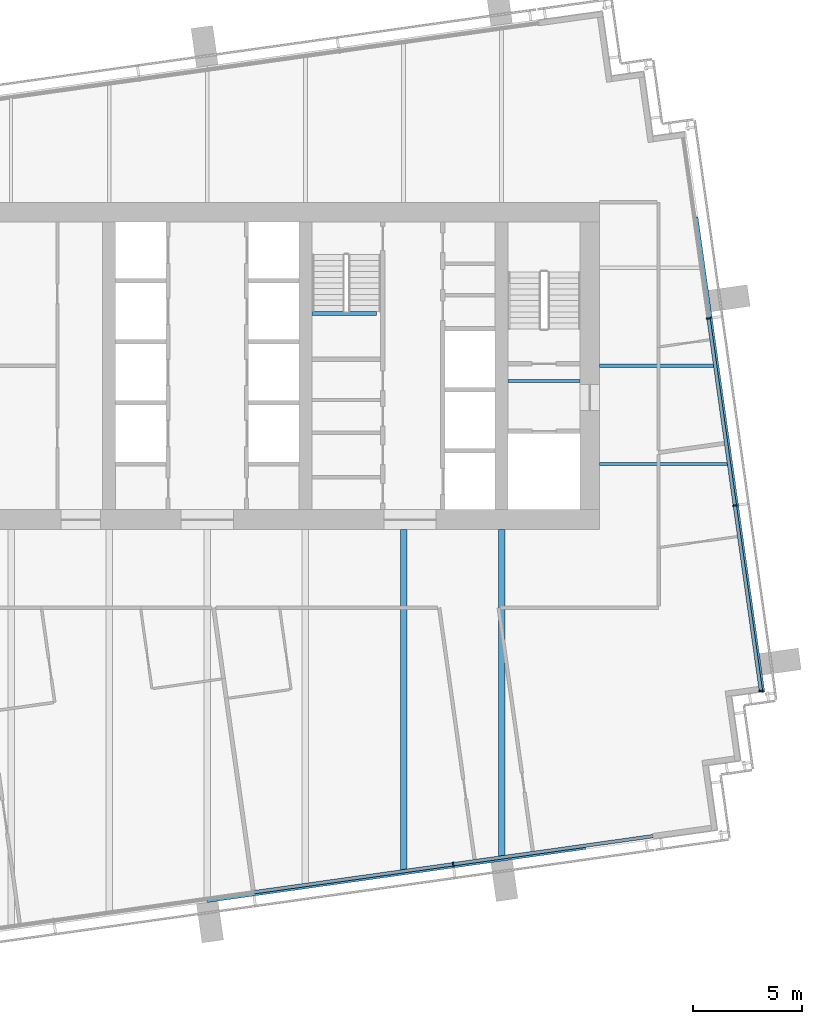
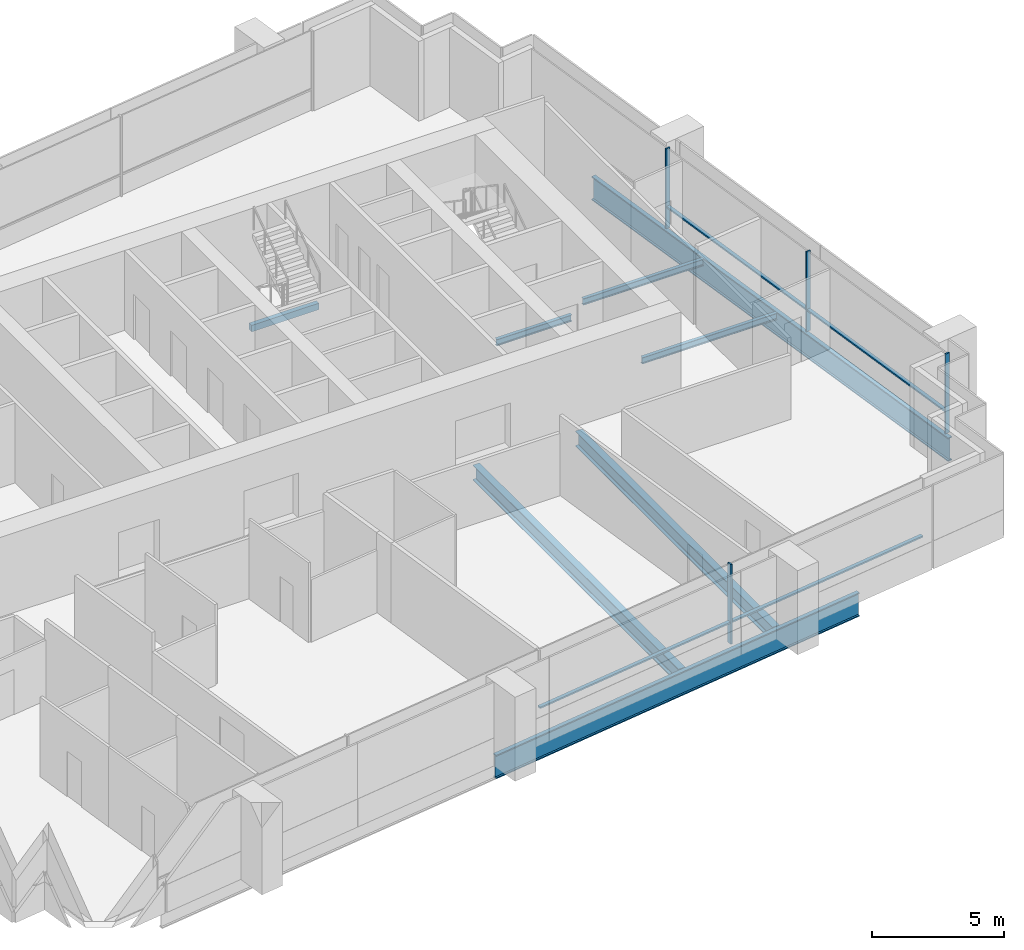
# One storey, part 4 of 15: 8 beams, 8 members, 2 elements without a shape of their own.
"""IFC4 building model written with IfcOpenShell, lengths in metres."""

from ifc_helpers import new_model, si_unit, direction, frame, origin, origin_2d, place, context, subcontext, project, spatial, rectangle, i_section, extrude, material, layer, layer_set, material_profile, profile_set, type_object, element, aggregate, save


model = new_model("IFC4")

# Units and contexts
model_context = context("Model", 3, precision=1e-05, world=origin(), true_north=direction((0.0, 1.0)))
body_context = subcontext(model_context, "Body", "Model", "MODEL_VIEW")
ifc_project = project(units=[si_unit("LENGTHUNIT", "METRE"), si_unit("AREAUNIT", "SQUARE_METRE"), si_unit("VOLUMEUNIT", "CUBIC_METRE"), si_unit("PLANEANGLEUNIT", "RADIAN"), si_unit("MASSUNIT", "GRAM", prefix="KILO")], contexts=[model_context])

# Site, building, storey
site_placement = place(None, origin())
site = spatial("IfcSite", under=ifc_project, at=site_placement, CompositionType="ELEMENT")
building_placement = place(site_placement, origin())
building = spatial("IfcBuilding", under=site, at=building_placement, Name="Rattan Terrace Tower", CompositionType="ELEMENT")
storey_placement = place(building_placement, frame((0.0, 0.0, 274.60009765625)))
storey = spatial("IfcBuildingStorey", under=building, at=storey_placement, Name="L63", CompositionType="ELEMENT", Elevation=274.60009765625)

# Beams
ifc_material_1 = material(Name="Concrete C40/50", Category="concrete")
ifc_material_profile_1 = material_profile(ifc_material_1, rectangle(XDim=0.199951171875, YDim=0.300048828125, at=origin_2d()), Name="RC 200x300")
ifc_profile_set_1 = profile_set([ifc_material_profile_1], Name="Concrete C40/50")
beam_type_1 = type_object("IfcBeamType", Name="Core landing beam RC 200x300", PredefinedType="BEAM", material=ifc_profile_set_1)
beam_1_placement = place(storey_placement, frame((4.800048828125, 2.39990234375, 1.599853515625), z_axis=(1.0, 0.0, 0.0), x_axis=(0.0, 1.0, 0.0)))
element("IfcBeam", 1, at=beam_1_placement, inside=storey, type_object=beam_type_1, Name="st-S3-L63 landing 1 edge beam", PredefinedType="BEAM", context=body_context, shape_type="SweptSolid", body=[
    extrude(rectangle(XDim=0.199951171875, YDim=0.300048828125, at=origin_2d()), origin(), (0.0, 0.0, 1.0), 2.949951171875),
])
ifc_material_2 = material(Name="Steel S460", Category="steel")
ifc_material_profile_2 = material_profile(ifc_material_2, i_section(OverallWidth=0.179931640625, OverallDepth=1.10009765625, WebThickness=0.01611328125, FlangeThickness=0.050048828125, at=origin_2d()), Name="PG 1100x180-16-50")
ifc_profile_set_2 = profile_set([ifc_material_profile_2], Name="Steel S460")
beam_type_2 = type_object("IfcBeamType", Name="Frame edge girder PG 1100x180-16-50", PredefinedType="SPANDREL", material=ifc_profile_set_2)
beam_2_placement = place(storey_placement, frame((17.347900390625, -22.087890625, -0.75), z_axis=(-0.990265878298, -0.139188685889, 0.0), x_axis=(0.139188685889, -0.990265878298, 0.0)))
element("IfcBeam", 2, at=beam_2_placement, inside=storey, type_object=beam_type_2, Name="gdr-L63-002", PredefinedType="SPANDREL", context=body_context, shape_type="SweptSolid", body=[
    extrude(i_section(OverallWidth=0.179931640625, OverallDepth=1.10009765625, WebThickness=0.01611328125, FlangeThickness=0.050048828125, at=origin_2d()), origin(), (0.0, 0.0, 1.0), 17.531494140625),
])
beam_3_placement = place(storey_placement, frame((22.4189453125, 6.822998046875, -0.75), z_axis=(0.139180574959, -0.990267018311, 0.0), x_axis=(0.990267018311, 0.139180574959, 0.0)))
element("IfcBeam", 3, at=beam_3_placement, inside=storey, type_object=beam_type_2, Name="gdr-L63-004", PredefinedType="SPANDREL", context=body_context, shape_type="SweptSolid", body=[
    extrude(i_section(OverallWidth=0.179931640625, OverallDepth=1.10009765625, WebThickness=0.01611328125, FlangeThickness=0.050048828125, at=origin_2d()), origin(), (0.0, 0.0, 1.0), 22.014404296875),
])
ifc_material_3 = material(Name="Steel S355", Category="steel")
ifc_material_profile_3 = material_profile(ifc_material_3, i_section(OverallWidth=0.300048828125, OverallDepth=0.699951171875, WebThickness=0.01708984375, FlangeThickness=0.031982421875, FilletRadius=0.027099609375, at=origin_2d()), Name="HE 700 B")
ifc_profile_set_3 = profile_set([ifc_material_profile_3], Name="Steel S355")
beam_type_3 = type_object("IfcBeamType", Name="Frame floor beam HE 700 B", PredefinedType="JOIST", material=ifc_profile_set_3)
beam_4_placement = place(storey_placement, frame((9.0, -23.14892578125, -0.550048828125), z_axis=(0.0, 1.0, 0.0), x_axis=(-1.0, 0.0, 0.0)))
element("IfcBeam", 4, at=beam_4_placement, inside=storey, type_object=beam_type_3, Name="bm-L63-008", PredefinedType="JOIST", context=body_context, shape_type="SweptSolid", body=[
    extrude(i_section(OverallWidth=0.300048828125, OverallDepth=0.699951171875, WebThickness=0.01708984375, FlangeThickness=0.031982421875, FilletRadius=0.027099609375, at=origin_2d()), origin(), (0.0, 0.0, 1.0), 15.64892578125),
])
beam_5_placement = place(storey_placement, frame((13.5, -22.51708984375, -0.550048828125), z_axis=(0.0, 1.0, 0.0), x_axis=(-1.0, 0.0, 0.0)))
element("IfcBeam", 5, at=beam_5_placement, inside=storey, type_object=beam_type_3, Name="bm-L63-009", PredefinedType="JOIST", context=body_context, shape_type="SweptSolid", body=[
    extrude(i_section(OverallWidth=0.300048828125, OverallDepth=0.699951171875, WebThickness=0.01708984375, FlangeThickness=0.031982421875, FilletRadius=0.027099609375, at=origin_2d()), origin(), (0.0, 0.0, 1.0), 15.01708984375),
])
ifc_material_4 = material(Name="Steel S355", Category="steel")
ifc_material_profile_4 = material_profile(ifc_material_4, i_section(OverallWidth=0.14990234375, OverallDepth=0.300048828125, WebThickness=0.007080078125, FlangeThickness=0.0107421875, FilletRadius=0.014892578125, at=origin_2d()), Name="IPE 300")
ifc_profile_set_4 = profile_set([ifc_material_profile_4], Name="Steel S355")
beam_type_4 = type_object("IfcBeamType", Name="Frame floor beam IPE 300", PredefinedType="JOIST", material=ifc_profile_set_4)
beam_6_placement = place(storey_placement, frame((13.800048828125, -0.695068359375, -0.35009765625), z_axis=(1.0, 0.0, 0.0), x_axis=(0.0, 1.0, 0.0)))
element("IfcBeam", 6, at=beam_6_placement, inside=storey, type_object=beam_type_4, Name="bm-L63-002", PredefinedType="JOIST", context=body_context, shape_type="SweptSolid", body=[
    extrude(i_section(OverallWidth=0.14990234375, OverallDepth=0.300048828125, WebThickness=0.007080078125, FlangeThickness=0.0107421875, FilletRadius=0.014892578125, at=origin_2d()), origin(), (0.0, 0.0, 1.0), 3.300048828125),
])
beam_7_placement = place(storey_placement, frame((18.0, -4.5, -0.35009765625), z_axis=(1.0, 0.0, 0.0), x_axis=(0.0, 1.0, 0.0)))
element("IfcBeam", 7, at=beam_7_placement, inside=storey, type_object=beam_type_4, Name="bm-L63-011", PredefinedType="JOIST", context=body_context, shape_type="SweptSolid", body=[
    extrude(i_section(OverallWidth=0.14990234375, OverallDepth=0.300048828125, WebThickness=0.007080078125, FlangeThickness=0.0107421875, FilletRadius=0.014892578125, at=origin_2d()), origin(), (0.0, 0.0, 1.0), 5.908935546875),
])
beam_8_placement = place(storey_placement, frame((18.0, 0.0, -0.35009765625), z_axis=(1.0, 0.0, 0.0), x_axis=(0.0, 1.0, 0.0)))
element("IfcBeam", 8, at=beam_8_placement, inside=storey, type_object=beam_type_4, Name="bm-L63-013", PredefinedType="JOIST", context=body_context, shape_type="SweptSolid", body=[
    extrude(i_section(OverallWidth=0.14990234375, OverallDepth=0.300048828125, WebThickness=0.007080078125, FlangeThickness=0.0107421875, FilletRadius=0.014892578125, at=origin_2d()), origin(), (0.0, 0.0, 1.0), 5.277099609375),
])

# Curtain wall, members
ifc_material_5 = material(Name="Aluminium and laminated glass", Category="aluminium")
ifc_layer = layer(ifc_material_5, 0.199951171875)
ifc_layer_set = layer_set([ifc_layer], Name="High-Zone Unitised Curtain Wall")
curtain_wall_type = type_object("IfcCurtainWallType", Name="High-Zone Unitised Curtain Wall", PredefinedType="NOTDEFINED", material=ifc_layer_set)
curtain_wall_1_placement = place(storey_placement, origin())
curtain_wall_1 = element("IfcCurtainWall", 9, at=curtain_wall_1_placement, inside=storey, type_object=curtain_wall_type, Name="High-zone curtain wall L63-1", PredefinedType="NOTDEFINED")
ifc_material_6 = material(Name="Aluminium", Category="aluminium")
ifc_material_profile_5 = material_profile(ifc_material_6, rectangle(XDim=0.070068359375, YDim=0.199951171875, at=origin_2d()), Name="Aluminium 70x200")
ifc_profile_set_5 = profile_set([ifc_material_profile_5], Name="Aluminium")
member_type_1 = type_object("IfcMemberType", Name="High-Zone CW Mullion 70x200", PredefinedType="MULLION", material=ifc_profile_set_5)
member_1_placement = place(storey_placement, frame((25.3916015625, -14.908447265625, 0.0), z_axis=(0.0, 0.0, 1.0), x_axis=(-0.139191775431, 0.990265444036, 0.0)))
member_1 = element("IfcMember", 10, at=member_1_placement, type_object=member_type_1, Name="Mullion cwl-L63-001.1", PredefinedType="MULLION", context=body_context, shape_type="SweptSolid", body=[
    extrude(rectangle(XDim=0.070068359375, YDim=0.199951171875, at=origin_2d()), origin(), (0.0, 0.0, 1.0), 3.699951171875),
])
member_2_placement = place(storey_placement, frame((24.1962890625, -6.405029296875, 0.0), z_axis=(0.0, 0.0, 1.0), x_axis=(-0.139191775431, 0.990265444036, 0.0)))
member_2 = element("IfcMember", 11, at=member_2_placement, type_object=member_type_1, Name="Mullion cwl-L63-001.2", PredefinedType="MULLION", context=body_context, shape_type="SweptSolid", body=[
    extrude(rectangle(XDim=0.070068359375, YDim=0.199951171875, at=origin_2d()), origin(), (0.0, 0.0, 1.0), 3.699951171875),
])
member_3_placement = place(storey_placement, frame((22.989990234375, 2.177490234375, 0.0), z_axis=(0.0, 0.0, 1.0), x_axis=(-0.139191775431, 0.990265444036, 0.0)))
member_3 = element("IfcMember", 12, at=member_3_placement, type_object=member_type_1, Name="Mullion cwl-L63-001.3", PredefinedType="MULLION", context=body_context, shape_type="SweptSolid", body=[
    extrude(rectangle(XDim=0.070068359375, YDim=0.199951171875, at=origin_2d()), origin(), (0.0, 0.0, 1.0), 3.699951171875),
])

# Curtain wall, member
curtain_wall_2_placement = place(storey_placement, origin())
curtain_wall_2 = element("IfcCurtainWall", 13, at=curtain_wall_2_placement, inside=storey, type_object=curtain_wall_type, Name="High-zone curtain wall L63-4", PredefinedType="NOTDEFINED")
member_4_placement = place(storey_placement, frame((11.27734375, -22.859619140625, 0.0), z_axis=(0.0, 0.0, 1.0), x_axis=(0.990265894013, 0.139188574079, 0.0)))
member_4 = element("IfcMember", 14, at=member_4_placement, type_object=member_type_1, Name="Mullion cwl-L63-004.4", PredefinedType="MULLION", context=body_context, shape_type="SweptSolid", body=[
    extrude(rectangle(XDim=0.070068359375, YDim=0.199951171875, at=origin_2d()), origin(), (0.0, 0.0, 1.0), 3.699951171875),
])

# Member
ifc_material_7 = material(Name="Aluminium", Category="aluminium")
ifc_material_profile_6 = material_profile(ifc_material_7, rectangle(XDim=0.159912109375, YDim=0.070068359375, at=origin_2d()), Name="Aluminium 160x70")
ifc_profile_set_6 = profile_set([ifc_material_profile_6], Name="Aluminium")
member_type_2 = type_object("IfcMemberType", Name="High-Zone CW Transom 160x70", PredefinedType="USERDEFINED", material=ifc_profile_set_6)
member_5_placement = place(storey_placement, frame((25.38671875, -14.873779296875, 1.0), z_axis=(-0.139197734293, 0.99026460644, 0.0), x_axis=(-0.99026460644, -0.139197734293, 0.0)))
member_5 = element("IfcMember", 15, at=member_5_placement, type_object=member_type_2, Name="Transom cwl-L63-001.1", ObjectType="TRANSOM", PredefinedType="USERDEFINED", context=body_context, shape_type="SweptSolid", body=[
    extrude(rectangle(XDim=0.159912109375, YDim=0.070068359375, at=origin_2d()), origin(), (0.0, 0.0, 1.0), 8.51708984375),
])

member_6_placement = place(storey_placement, frame((24.19140625, -6.370361328125, 1.0), z_axis=(-0.139182599995, 0.990266733693, 0.0), x_axis=(-0.990266733693, -0.139182599995, 0.0)))
member_6 = element("IfcMember", 16, at=member_6_placement, type_object=member_type_2, Name="Transom cwl-L63-001.2", ObjectType="TRANSOM", PredefinedType="USERDEFINED", context=body_context, shape_type="SweptSolid", body=[
    extrude(rectangle(XDim=0.159912109375, YDim=0.070068359375, at=origin_2d()), origin(), (0.0, 0.0, 1.0), 8.596923828125),
])

aggregate(curtain_wall_1, [member_1, member_2, member_3, member_5, member_6])

member_7_placement = place(storey_placement, frame((2.15283203125, -24.14208984375, 1.0), z_axis=(0.990266662415, 0.139183107123, 0.0), x_axis=(-0.139183107123, 0.990266662415, 0.0)))
member_7 = element("IfcMember", 17, at=member_7_placement, type_object=member_type_2, Name="Transom cwl-L63-004.3", ObjectType="TRANSOM", PredefinedType="USERDEFINED", context=body_context, shape_type="SweptSolid", body=[
    extrude(rectangle(XDim=0.159912109375, YDim=0.070068359375, at=origin_2d()), origin(), (0.0, 0.0, 1.0), 9.17919921875),
])

member_8_placement = place(storey_placement, frame((11.31201171875, -22.854736328125, 1.0), z_axis=(0.990263767768, 0.139203700545, 0.0), x_axis=(-0.139203700545, 0.990263767768, 0.0)))
member_8 = element("IfcMember", 18, at=member_8_placement, type_object=member_type_2, Name="Transom cwl-L63-004.4", ObjectType="TRANSOM", PredefinedType="USERDEFINED", context=body_context, shape_type="SweptSolid", body=[
    extrude(rectangle(XDim=0.159912109375, YDim=0.070068359375, at=origin_2d()), origin(), (0.0, 0.0, 1.0), 9.21826171875),
])

aggregate(curtain_wall_2, [member_4, member_7, member_8])

save(model, "model.ifc")
